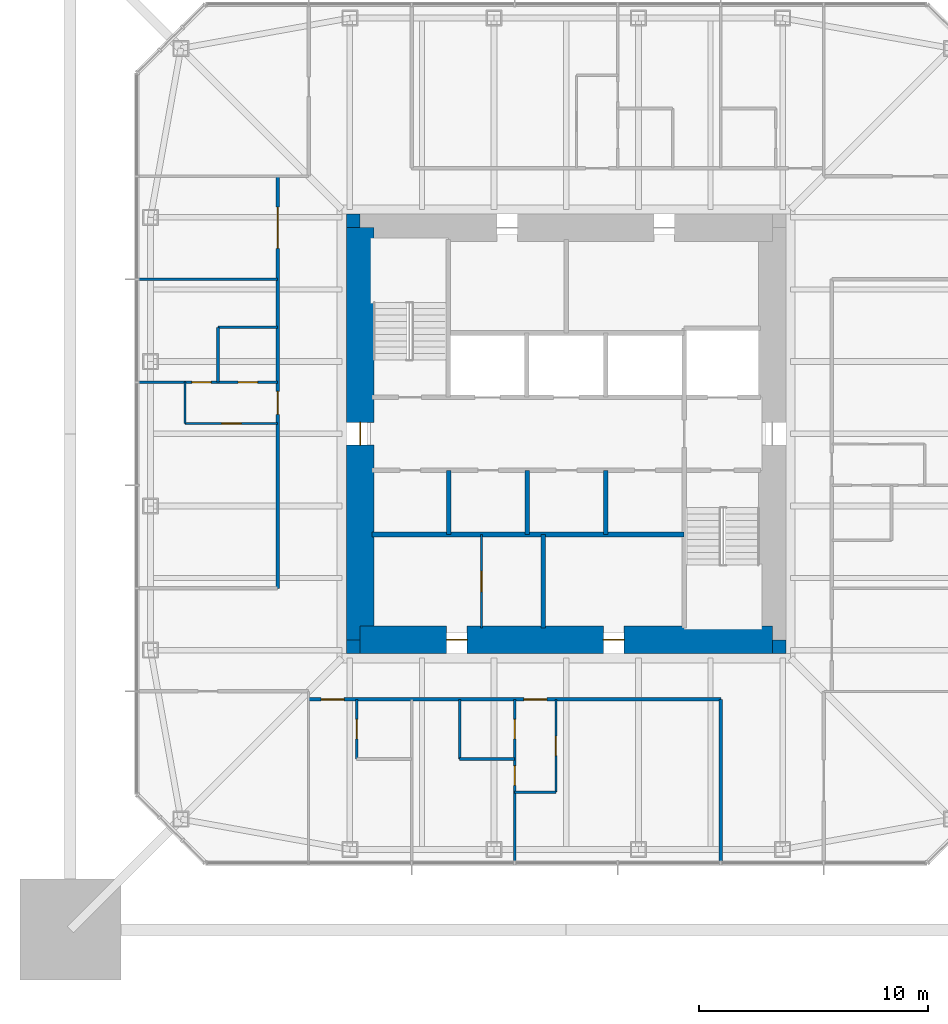
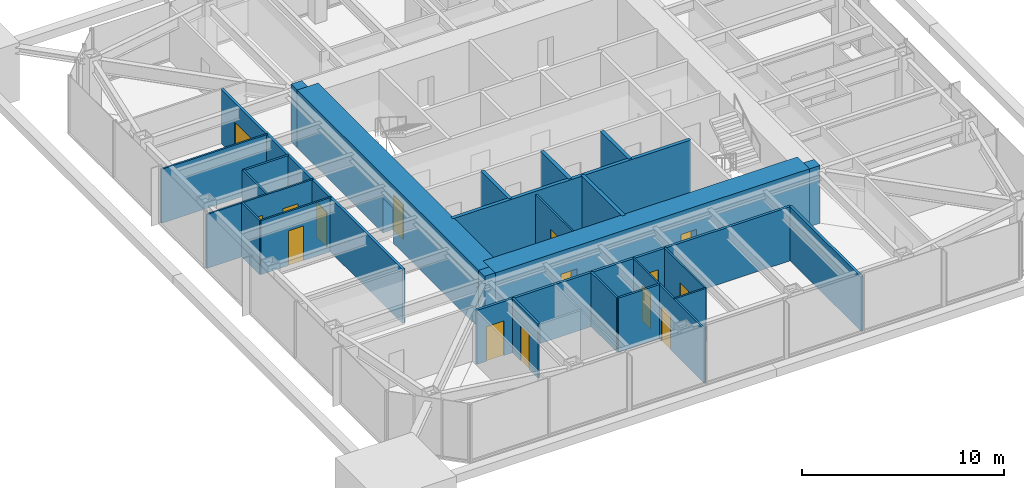
# One storey, part 8 of 13: 26 walls, 15 doors, 15 openings.
"""IFC4 building model written with IfcOpenShell, lengths in metres."""

from ifc_helpers import new_model, si_unit, direction, frame, frame_2d, origin, place, context, subcontext, project, spatial, rectangle, extrude, material, layer, layer_set, type_object, element, fill, save


model = new_model("IFC4")

# Units and contexts
model_context = context("Model", 3, precision=1e-05, world=origin(), true_north=direction((0.0, 1.0)))
body_context = subcontext(model_context, "Body", "Model", "MODEL_VIEW")
ifc_project = project(units=[si_unit("LENGTHUNIT", "METRE"), si_unit("AREAUNIT", "SQUARE_METRE"), si_unit("VOLUMEUNIT", "CUBIC_METRE"), si_unit("PLANEANGLEUNIT", "RADIAN"), si_unit("MASSUNIT", "GRAM", prefix="KILO")], contexts=[model_context])

# Site, building, storey
site_placement = place(None, origin())
site = spatial("IfcSite", under=ifc_project, at=site_placement, CompositionType="ELEMENT")
building_placement = place(site_placement, origin())
building = spatial("IfcBuilding", under=site, at=building_placement, Name="Iwan Alto Co-Living Towers", CompositionType="ELEMENT")
storey_placement = place(building_placement, frame((0.0, 0.0, 191.5)))
storey = spatial("IfcBuildingStorey", under=building, at=storey_placement, Name="L52", CompositionType="ELEMENT", Elevation=191.5)

# Wall, openings, doors
ifc_material_1 = material(Name="Gypsum board")
ifc_layer_1 = layer(ifc_material_1, 0.02490234375, Name="Board", Category="Finish")
ifc_material_2 = material(Name="Steel ASTM A1003 ST33H cold-formed studs", Category="steel")
ifc_layer_2 = layer(ifc_material_2, 0.10009765625, Name="Studs", Category="Framing")
ifc_layer_3 = layer(ifc_material_1, 0.02490234375, Name="Board", Category="Finish")
ifc_layer_set_1 = layer_set([ifc_layer_1, ifc_layer_2, ifc_layer_3], Name="CORRIDOR WALL 150")
wall_type_1 = type_object("IfcWallType", Name="CORRIDOR WALL 150", PredefinedType="PARTITIONING", material=ifc_layer_set_1)
wall_1_placement = place(storey_placement, frame((-11.25, -11.60009765625, 0.0), z_axis=(0.0, 0.0, 1.0), x_axis=(1.0, 0.0, 0.0)))
wall_1 = element("IfcWall", 1, at=wall_1_placement, inside=storey, type_object=wall_type_1, Name="Partition L52", PredefinedType="PARTITIONING", context=body_context, shape_type="SweptSolid", body=[
    extrude(rectangle(XDim=18.0, YDim=0.14990234375, at=frame_2d((9.0, 0.0))), origin(), (0.0, 0.0, 1.0), 3.27001953125),
])
opening_1_placement = place(wall_1_placement, frame((0.550048828125, 0.0, 0.0)))
opening_1 = element("IfcOpeningElement", 2, at=opening_1_placement, cuts=wall_1, Name="Opening D3", PredefinedType="OPENING", context=body_context, shape_type="SweptSolid", body=[
    extrude(rectangle(XDim=1.0, YDim=2.10009765625, at=frame_2d((0.5, 1.050048828125))), frame((0.0, 0.0849609375, 0.0), z_axis=(0.0, -1.0, 0.0), x_axis=(1.0, 0.0, 0.0)), (0.0, 0.0, 1.0), 0.169921875),
])
opening_2_placement = place(wall_1_placement, frame((9.39990234375, 0.0, 0.0)))
opening_2 = element("IfcOpeningElement", 3, at=opening_2_placement, cuts=wall_1, Name="Opening D3", PredefinedType="OPENING", context=body_context, shape_type="SweptSolid", body=[
    extrude(rectangle(XDim=1.0, YDim=2.10009765625, at=frame_2d((0.5, 1.050048828125))), frame((0.0, 0.0849609375, 0.0), z_axis=(0.0, -1.0, 0.0), x_axis=(1.0, 0.0, 0.0)), (0.0, 0.0, 1.0), 0.169921875),
])
ifc_material_3 = material(Name="Steel frame with timber leaf", Category="steel")
door_type_1 = type_object("IfcDoorType", Name="FLAT ENTRANCE DOOR FD30S 1000X2100", OperationType="SINGLE_SWING_LEFT", PredefinedType="DOOR", material=ifc_material_3)
door_1_placement = place(opening_1_placement, frame((1.0, 0.0, 0.0), z_axis=(0.0, 0.0, 1.0), x_axis=(-1.0, 0.0, 0.0)))
door_1 = element("IfcDoor", 4, at=door_1_placement, inside=storey, type_object=door_type_1, Name="Studio door L52", OperationType="SINGLE_SWING_RIGHT", OverallHeight=2.10009765625, OverallWidth=1.0, PredefinedType="DOOR", context=body_context, shape_type="SweptSolid", body=[
    extrude(rectangle(XDim=1.0, YDim=2.10009765625, at=frame_2d((0.5, 1.050048828125))), frame((0.0, 0.02490234375, 0.0), z_axis=(0.0, -1.0, 0.0), x_axis=(1.0, 0.0, 0.0)), (0.0, 0.0, 1.0), 0.050048828125),
])
fill(opening_1, door_1)
door_2_placement = place(opening_2_placement, frame((1.0, 0.0, 0.0), z_axis=(0.0, 0.0, 1.0), x_axis=(-1.0, 0.0, 0.0)))
door_2 = element("IfcDoor", 5, at=door_2_placement, inside=storey, type_object=door_type_1, Name="Apartment foyer door L52", OperationType="SINGLE_SWING_RIGHT", OverallHeight=2.10009765625, OverallWidth=1.0, PredefinedType="DOOR", context=body_context, shape_type="SweptSolid", body=[
    extrude(rectangle(XDim=1.0, YDim=2.10009765625, at=frame_2d((0.5, 1.050048828125))), frame((0.0, 0.02490234375, 0.0), z_axis=(0.0, -1.0, 0.0), x_axis=(1.0, 0.0, 0.0)), (0.0, 0.0, 1.0), 0.050048828125),
])
fill(opening_2, door_2)

# Wall
wall_2_placement = place(storey_placement, frame((6.75, -18.68994140625, 0.0), z_axis=(0.0, 0.0, 1.0), x_axis=(0.0, 1.0, 0.0)))
element("IfcWall", 6, at=wall_2_placement, inside=storey, type_object=wall_type_1, Name="Partition L52", PredefinedType="PARTITIONING", context=body_context, shape_type="SweptSolid", body=[
    extrude(rectangle(XDim=7.08984375, YDim=0.14990234375, at=frame_2d((3.544921875, 0.0))), origin(), (0.0, 0.0, 1.0), 3.27001953125),
])

# Wall, openings, doors
wall_3_placement = place(storey_placement, frame((-12.60009765625, -6.75, 0.0), z_axis=(0.0, 0.0, 1.0), x_axis=(0.0, 1.0, 0.0)))
wall_3 = element("IfcWall", 7, at=wall_3_placement, inside=storey, type_object=wall_type_1, Name="Partition L52", PredefinedType="PARTITIONING", context=body_context, shape_type="SweptSolid", body=[
    extrude(rectangle(XDim=18.0, YDim=0.14990234375, at=frame_2d((9.0, 0.0))), origin(), (0.0, 0.0, 1.0), 3.27001953125),
])
opening_3_placement = place(wall_3_placement, frame((14.85009765625, 0.0, 0.0)))
opening_3 = element("IfcOpeningElement", 8, at=opening_3_placement, cuts=wall_3, Name="Opening D9", PredefinedType="OPENING", context=body_context, shape_type="SweptSolid", body=[
    extrude(rectangle(XDim=1.800048828125, YDim=2.10009765625, at=frame_2d((0.89990234375, 1.050048828125))), frame((0.0, 0.0849609375, 0.0), z_axis=(0.0, -1.0, 0.0), x_axis=(1.0, 0.0, 0.0)), (0.0, 0.0, 1.0), 0.169921875),
])
opening_4_placement = place(wall_3_placement, frame((7.60009765625, 0.0, 0.0)))
opening_4 = element("IfcOpeningElement", 9, at=opening_4_placement, cuts=wall_3, Name="Opening D3", PredefinedType="OPENING", context=body_context, shape_type="SweptSolid", body=[
    extrude(rectangle(XDim=1.0, YDim=2.10009765625, at=frame_2d((0.5, 1.050048828125))), frame((0.0, 0.0849609375, 0.0), z_axis=(0.0, -1.0, 0.0), x_axis=(1.0, 0.0, 0.0)), (0.0, 0.0, 1.0), 0.169921875),
])
door_3_placement = place(opening_4_placement, origin())
door_3 = element("IfcDoor", 10, at=door_3_placement, inside=storey, type_object=door_type_1, Name="Apartment foyer door L52", OperationType="SINGLE_SWING_LEFT", OverallHeight=2.10009765625, OverallWidth=1.0, PredefinedType="DOOR", context=body_context, shape_type="SweptSolid", body=[
    extrude(rectangle(XDim=1.0, YDim=2.10009765625, at=frame_2d((0.5, 1.050048828125))), frame((0.0, 0.02490234375, 0.0), z_axis=(0.0, -1.0, 0.0), x_axis=(1.0, 0.0, 0.0)), (0.0, 0.0, 1.0), 0.050048828125),
])
fill(opening_4, door_3)
ifc_material_4 = material(Name="Steel frame with timber leaf", Category="steel")
door_type_2 = type_object("IfcDoorType", Name="LOUNGE DOOR FD30S 1800X2100", OperationType="DOUBLE_DOOR_SINGLE_SWING", PredefinedType="DOOR", material=ifc_material_4)
door_4_placement = place(opening_3_placement, origin())
door_4 = element("IfcDoor", 11, at=door_4_placement, inside=storey, type_object=door_type_2, Name="Music practice room door L52", OperationType="DOUBLE_DOOR_SINGLE_SWING", OverallHeight=2.10009765625, OverallWidth=1.800048828125, PredefinedType="DOOR", context=body_context, shape_type="SweptSolid", body=[
    extrude(rectangle(XDim=1.800048828125, YDim=2.10009765625, at=frame_2d((0.89990234375, 1.050048828125))), frame((0.0, 0.02490234375, 0.0), z_axis=(0.0, -1.0, 0.0), x_axis=(1.0, 0.0, 0.0)), (0.0, 0.0, 1.0), 0.050048828125),
])
fill(opening_3, door_4)

# Wall
ifc_layer_4 = layer(ifc_material_1, 0.012451171875, Name="Board", Category="Finish")
ifc_layer_5 = layer(ifc_material_2, 0.074951171875, Name="Studs", Category="Framing")
ifc_layer_6 = layer(ifc_material_1, 0.012451171875, Name="Board", Category="Finish")
ifc_layer_set_2 = layer_set([ifc_layer_4, ifc_layer_5, ifc_layer_6], Name="PARTITION 100")
wall_type_2 = type_object("IfcWallType", Name="PARTITION 100", PredefinedType="PARTITIONING", material=ifc_layer_set_2)
wall_4_placement = place(storey_placement, frame((-2.25, -15.64990234375, 0.0), z_axis=(0.0, 0.0, 1.0), x_axis=(1.0, 0.0, 0.0)))
element("IfcWall", 12, at=wall_4_placement, inside=storey, type_object=wall_type_2, Name="Partition L52", PredefinedType="PARTITIONING", context=body_context, shape_type="SweptSolid", body=[
    extrude(rectangle(XDim=1.800048828125, YDim=0.10009765625, at=frame_2d((0.89990234375, 0.0))), origin(), (0.0, 0.0, 1.0), 3.27001953125),
])

# Wall, opening, door
wall_5_placement = place(storey_placement, frame((-16.64990234375, 0.449951171875, 0.0), z_axis=(0.0, 0.0, 1.0), x_axis=(1.0, 0.0, 0.0)))
wall_5 = element("IfcWall", 13, at=wall_5_placement, inside=storey, type_object=wall_type_2, Name="Partition L52", PredefinedType="PARTITIONING", context=body_context, shape_type="SweptSolid", body=[
    extrude(rectangle(XDim=4.0498046875, YDim=0.10009765625, at=frame_2d((2.02490234375, 0.0))), origin(), (0.0, 0.0, 1.0), 3.27001953125),
])
opening_5_placement = place(wall_5_placement, frame((1.60009765625, 0.0, 0.0)))
opening_5 = element("IfcOpeningElement", 14, at=opening_5_placement, cuts=wall_5, Name="Opening D2", PredefinedType="OPENING", context=body_context, shape_type="SweptSolid", body=[
    extrude(rectangle(XDim=0.85009765625, YDim=2.10009765625, at=frame_2d((0.425048828125, 1.050048828125))), frame((0.0, 0.06005859375, 0.0), z_axis=(0.0, -1.0, 0.0), x_axis=(1.0, 0.0, 0.0)), (0.0, 0.0, 1.0), 0.1201171875),
])
ifc_material_5 = material(Name="Timber leaf in steel frame", Category="steel")
door_type_3 = type_object("IfcDoorType", Name="ROOM DOOR 850X2100", OperationType="SINGLE_SWING_LEFT", PredefinedType="DOOR", material=ifc_material_5)
door_5_placement = place(opening_5_placement, frame((0.85009765625, 0.0, 0.0), z_axis=(0.0, 0.0, 1.0), x_axis=(-1.0, 0.0, 0.0)))
door_5 = element("IfcDoor", 15, at=door_5_placement, inside=storey, type_object=door_type_3, Name="Apartment foyer door L52", OperationType="SINGLE_SWING_LEFT", OverallHeight=2.10009765625, OverallWidth=0.85009765625, PredefinedType="DOOR", context=body_context, shape_type="SweptSolid", body=[
    extrude(rectangle(XDim=0.85009765625, YDim=2.10009765625, at=frame_2d((0.425048828125, 1.050048828125))), frame((0.0, 0.02490234375, 0.0), z_axis=(0.0, -1.0, 0.0), x_axis=(1.0, 0.0, 0.0)), (0.0, 0.0, 1.0), 0.050048828125),
])
fill(opening_5, door_5)

# Wall, openings, doors
wall_6_placement = place(storey_placement, frame((-18.68994140625, 2.25, 0.0), z_axis=(0.0, 0.0, 1.0), x_axis=(1.0, 0.0, 0.0)))
wall_6 = element("IfcWall", 16, at=wall_6_placement, inside=storey, type_object=wall_type_2, Name="Partition L52", PredefinedType="PARTITIONING", context=body_context, shape_type="SweptSolid", body=[
    extrude(rectangle(XDim=6.08984375, YDim=0.10009765625, at=frame_2d((3.044921875, 0.0))), origin(), (0.0, 0.0, 1.0), 3.27001953125),
])
opening_6_placement = place(wall_6_placement, frame((2.340087890625, 0.0, 0.0)))
opening_6 = element("IfcOpeningElement", 17, at=opening_6_placement, cuts=wall_6, Name="Opening D2", PredefinedType="OPENING", context=body_context, shape_type="SweptSolid", body=[
    extrude(rectangle(XDim=0.85009765625, YDim=2.10009765625, at=frame_2d((0.425048828125, 1.050048828125))), frame((0.0, 0.06005859375, 0.0), z_axis=(0.0, -1.0, 0.0), x_axis=(1.0, 0.0, 0.0)), (0.0, 0.0, 1.0), 0.1201171875),
])
opening_7_placement = place(wall_6_placement, frame((4.364990234375, 0.0, 0.0)))
opening_7 = element("IfcOpeningElement", 18, at=opening_7_placement, cuts=wall_6, Name="Opening D2", PredefinedType="OPENING", context=body_context, shape_type="SweptSolid", body=[
    extrude(rectangle(XDim=0.85009765625, YDim=2.10009765625, at=frame_2d((0.425048828125, 1.050048828125))), frame((0.0, 0.06005859375, 0.0), z_axis=(0.0, -1.0, 0.0), x_axis=(1.0, 0.0, 0.0)), (0.0, 0.0, 1.0), 0.1201171875),
])
door_6_placement = place(opening_6_placement, origin())
door_6 = element("IfcDoor", 19, at=door_6_placement, inside=storey, type_object=door_type_3, Name="Bedroom door L52", OperationType="SINGLE_SWING_RIGHT", OverallHeight=2.10009765625, OverallWidth=0.85009765625, PredefinedType="DOOR", context=body_context, shape_type="SweptSolid", body=[
    extrude(rectangle(XDim=0.85009765625, YDim=2.10009765625, at=frame_2d((0.425048828125, 1.050048828125))), frame((0.0, 0.02490234375, 0.0), z_axis=(0.0, -1.0, 0.0), x_axis=(1.0, 0.0, 0.0)), (0.0, 0.0, 1.0), 0.050048828125),
])
fill(opening_6, door_6)
door_7_placement = place(opening_7_placement, origin())
door_7 = element("IfcDoor", 20, at=door_7_placement, inside=storey, type_object=door_type_3, Name="Bathroom door L52", OperationType="SINGLE_SWING_LEFT", OverallHeight=2.10009765625, OverallWidth=0.85009765625, PredefinedType="DOOR", context=body_context, shape_type="SweptSolid", body=[
    extrude(rectangle(XDim=0.85009765625, YDim=2.10009765625, at=frame_2d((0.425048828125, 1.050048828125))), frame((0.0, 0.02490234375, 0.0), z_axis=(0.0, -1.0, 0.0), x_axis=(1.0, 0.0, 0.0)), (0.0, 0.0, 1.0), 0.050048828125),
])
fill(opening_7, door_7)

# Wall
wall_7_placement = place(storey_placement, frame((-18.68994140625, 6.75, 0.0), z_axis=(0.0, 0.0, 1.0), x_axis=(1.0, 0.0, 0.0)))
element("IfcWall", 21, at=wall_7_placement, inside=storey, type_object=wall_type_2, Name="Partition L52", PredefinedType="PARTITIONING", context=body_context, shape_type="SweptSolid", body=[
    extrude(rectangle(XDim=6.08984375, YDim=0.10009765625, at=frame_2d((3.044921875, 0.0))), origin(), (0.0, 0.0, 1.0), 3.27001953125),
])

# Wall, opening, door
wall_8_placement = place(storey_placement, frame((-0.449951171875, -15.64990234375, 0.0), z_axis=(0.0, 0.0, 1.0), x_axis=(0.0, 1.0, 0.0)))
wall_8 = element("IfcWall", 22, at=wall_8_placement, inside=storey, type_object=wall_type_2, Name="Partition L52", PredefinedType="PARTITIONING", context=body_context, shape_type="SweptSolid", body=[
    extrude(rectangle(XDim=4.0498046875, YDim=0.10009765625, at=frame_2d((2.02490234375, 0.0))), origin(), (0.0, 0.0, 1.0), 3.27001953125),
])
opening_8_placement = place(wall_8_placement, frame((1.60009765625, 0.0, 0.0)))
opening_8 = element("IfcOpeningElement", 23, at=opening_8_placement, cuts=wall_8, Name="Opening D2", PredefinedType="OPENING", context=body_context, shape_type="SweptSolid", body=[
    extrude(rectangle(XDim=0.85009765625, YDim=2.10009765625, at=frame_2d((0.425048828125, 1.050048828125))), frame((0.0, 0.06005859375, 0.0), z_axis=(0.0, -1.0, 0.0), x_axis=(1.0, 0.0, 0.0)), (0.0, 0.0, 1.0), 0.1201171875),
])
door_8_placement = place(opening_8_placement, frame((0.85009765625, 0.0, 0.0), z_axis=(0.0, 0.0, 1.0), x_axis=(-1.0, 0.0, 0.0)))
door_8 = element("IfcDoor", 24, at=door_8_placement, inside=storey, type_object=door_type_3, Name="Apartment foyer door L52", OperationType="SINGLE_SWING_LEFT", OverallHeight=2.10009765625, OverallWidth=0.85009765625, PredefinedType="DOOR", context=body_context, shape_type="SweptSolid", body=[
    extrude(rectangle(XDim=0.85009765625, YDim=2.10009765625, at=frame_2d((0.425048828125, 1.050048828125))), frame((0.0, 0.02490234375, 0.0), z_axis=(0.0, -1.0, 0.0), x_axis=(1.0, 0.0, 0.0)), (0.0, 0.0, 1.0), 0.050048828125),
])
fill(opening_8, door_8)

# Wall, openings, doors
wall_9_placement = place(storey_placement, frame((-2.25, -18.68994140625, 0.0), z_axis=(0.0, 0.0, 1.0), x_axis=(0.0, 1.0, 0.0)))
wall_9 = element("IfcWall", 25, at=wall_9_placement, inside=storey, type_object=wall_type_2, Name="Partition L52", PredefinedType="PARTITIONING", context=body_context, shape_type="SweptSolid", body=[
    extrude(rectangle(XDim=7.08984375, YDim=0.10009765625, at=frame_2d((3.544921875, 0.0))), origin(), (0.0, 0.0, 1.0), 3.27001953125),
])
opening_9_placement = place(wall_9_placement, frame((3.340087890625, 0.0, 0.0)))
opening_9 = element("IfcOpeningElement", 26, at=opening_9_placement, cuts=wall_9, Name="Opening D2", PredefinedType="OPENING", context=body_context, shape_type="SweptSolid", body=[
    extrude(rectangle(XDim=0.85009765625, YDim=2.10009765625, at=frame_2d((0.425048828125, 1.050048828125))), frame((0.0, 0.06005859375, 0.0), z_axis=(0.0, -1.0, 0.0), x_axis=(1.0, 0.0, 0.0)), (0.0, 0.0, 1.0), 0.1201171875),
])
opening_10_placement = place(wall_9_placement, frame((5.364990234375, 0.0, 0.0)))
opening_10 = element("IfcOpeningElement", 27, at=opening_10_placement, cuts=wall_9, Name="Opening D2", PredefinedType="OPENING", context=body_context, shape_type="SweptSolid", body=[
    extrude(rectangle(XDim=0.85009765625, YDim=2.10009765625, at=frame_2d((0.425048828125, 1.050048828125))), frame((0.0, 0.06005859375, 0.0), z_axis=(0.0, -1.0, 0.0), x_axis=(1.0, 0.0, 0.0)), (0.0, 0.0, 1.0), 0.1201171875),
])
door_9_placement = place(opening_9_placement, origin())
door_9 = element("IfcDoor", 28, at=door_9_placement, inside=storey, type_object=door_type_3, Name="Bedroom door L52", OperationType="SINGLE_SWING_RIGHT", OverallHeight=2.10009765625, OverallWidth=0.85009765625, PredefinedType="DOOR", context=body_context, shape_type="SweptSolid", body=[
    extrude(rectangle(XDim=0.85009765625, YDim=2.10009765625, at=frame_2d((0.425048828125, 1.050048828125))), frame((0.0, 0.02490234375, 0.0), z_axis=(0.0, -1.0, 0.0), x_axis=(1.0, 0.0, 0.0)), (0.0, 0.0, 1.0), 0.050048828125),
])
fill(opening_9, door_9)
door_10_placement = place(opening_10_placement, origin())
door_10 = element("IfcDoor", 29, at=door_10_placement, inside=storey, type_object=door_type_3, Name="Bathroom door L52", OperationType="SINGLE_SWING_LEFT", OverallHeight=2.10009765625, OverallWidth=0.85009765625, PredefinedType="DOOR", context=body_context, shape_type="SweptSolid", body=[
    extrude(rectangle(XDim=0.85009765625, YDim=2.10009765625, at=frame_2d((0.425048828125, 1.050048828125))), frame((0.0, 0.02490234375, 0.0), z_axis=(0.0, -1.0, 0.0), x_axis=(1.0, 0.0, 0.0)), (0.0, 0.0, 1.0), 0.050048828125),
])
fill(opening_10, door_10)

# Wall, opening, door
wall_10_placement = place(storey_placement, frame((-3.699951171875, -8.489990234375, 0.0), z_axis=(0.0, 0.0, 1.0), x_axis=(0.0, 1.0, 0.0)))
wall_10 = element("IfcWall", 30, at=wall_10_placement, inside=storey, type_object=wall_type_2, Name="Partition L52", PredefinedType="PARTITIONING", context=body_context, shape_type="SweptSolid", body=[
    extrude(rectangle(XDim=4.090087890625, YDim=0.10009765625, at=frame_2d((2.044921875, 0.0))), origin(), (0.0, 0.0, 1.0), 3.300048828125),
])
opening_11_placement = place(wall_10_placement, frame((1.594970703125, 0.0, 0.0)))
opening_11 = element("IfcOpeningElement", 31, at=opening_11_placement, cuts=wall_10, Name="Opening D16", PredefinedType="OPENING", context=body_context, shape_type="SweptSolid", body=[
    extrude(rectangle(XDim=0.89990234375, YDim=2.10009765625, at=frame_2d((0.449951171875, 1.050048828125))), frame((0.0, 0.06005859375, 0.0), z_axis=(0.0, -1.0, 0.0), x_axis=(1.0, 0.0, 0.0)), (0.0, 0.0, 1.0), 0.1201171875),
])
ifc_material_6 = material(Name="Timber leaf in steel frame", Category="steel")
door_type_4 = type_object("IfcDoorType", Name="CUPBOARD SLIDING DOOR 900X2100", OperationType="SLIDING_TO_LEFT", PredefinedType="DOOR", material=ifc_material_6)
door_11_placement = place(opening_11_placement, origin())
door_11 = element("IfcDoor", 32, at=door_11_placement, inside=storey, type_object=door_type_4, Name="Cleaner's store door L52", OperationType="SLIDING_TO_LEFT", OverallHeight=2.10009765625, OverallWidth=0.89990234375, PredefinedType="DOOR", context=body_context, shape_type="SweptSolid", body=[
    extrude(rectangle(XDim=0.89990234375, YDim=2.10009765625, at=frame_2d((0.449951171875, 1.050048828125))), frame((0.0, 0.02490234375, 0.0), z_axis=(0.0, -1.0, 0.0), x_axis=(1.0, 0.0, 0.0)), (0.0, 0.0, 1.0), 0.050048828125),
])
fill(opening_11, door_11)

# Walls
wall_11_placement = place(storey_placement, frame((-16.64990234375, 0.449951171875, 0.0), z_axis=(0.0, 0.0, 1.0), x_axis=(0.0, 1.0, 0.0)))
element("IfcWall", 33, at=wall_11_placement, inside=storey, type_object=wall_type_2, Name="Partition L52", PredefinedType="PARTITIONING", context=body_context, shape_type="SweptSolid", body=[
    extrude(rectangle(XDim=1.800048828125, YDim=0.10009765625, at=frame_2d((0.89990234375, 0.0))), origin(), (0.0, 0.0, 1.0), 3.27001953125),
])
ifc_material_7 = material(Name="Concrete f'c 70 MPa", Category="concrete")
ifc_layer_7 = layer(ifc_material_7, 0.199951171875)
ifc_layer_set_3 = layer_set([ifc_layer_7], Name="SHAFT WALL 200")
wall_type_3 = type_object("IfcWallType", Name="SHAFT WALL 200", PredefinedType="SOLIDWALL", material=ifc_layer_set_3)
wall_12_placement = place(storey_placement, frame((-8.489990234375, -4.39990234375, 0.0), z_axis=(0.0, 0.0, 1.0), x_axis=(1.0, 0.0, 0.0)))
element("IfcWall", 34, at=wall_12_placement, inside=storey, type_object=wall_type_3, Name="Shaft wall L52", PredefinedType="SOLIDWALL", context=body_context, shape_type="SweptSolid", body=[
    extrude(rectangle(XDim=13.639892578125, YDim=0.199951171875, at=frame_2d((6.81982421875, 0.0))), origin(), (0.0, 0.0, 1.0), 3.5),
])
wall_13_placement = place(storey_placement, frame((1.72509765625, -4.39990234375, 0.0), z_axis=(0.0, 0.0, 1.0), x_axis=(0.0, 1.0, 0.0)))
element("IfcWall", 35, at=wall_13_placement, inside=storey, type_object=wall_type_3, Name="Shaft wall L52", PredefinedType="SOLIDWALL", context=body_context, shape_type="SweptSolid", body=[
    extrude(rectangle(XDim=2.7998046875, YDim=0.199951171875, at=frame_2d((1.39990234375, 0.0))), origin(), (0.0, 0.0, 1.0), 3.5),
])
wall_14_placement = place(storey_placement, frame((-1.0, -8.489990234375, 0.0), z_axis=(0.0, 0.0, 1.0), x_axis=(0.0, 1.0, 0.0)))
element("IfcWall", 36, at=wall_14_placement, inside=storey, type_object=wall_type_3, Name="Shaft wall L52", PredefinedType="SOLIDWALL", context=body_context, shape_type="SweptSolid", body=[
    extrude(rectangle(XDim=4.090087890625, YDim=0.199951171875, at=frame_2d((2.044921875, 0.0))), origin(), (0.0, 0.0, 1.0), 3.5),
])
for number, where, z_axis, x_axis, name in (
    (37, (-1.699951171875, -4.39990234375, 0.0), (0.0, 0.0, 1.0), (0.0, 1.0, 0.0), "Shaft wall L52"),
    (38, (-5.125, -4.39990234375, 0.0), (0.0, 0.0, 1.0), (0.0, 1.0, 0.0), "Shaft wall L52"),
):
    element("IfcWall", number, at=place(storey_placement, frame(where, z_axis=z_axis, x_axis=x_axis)), inside=storey, type_object=wall_type_3, Name=name, PredefinedType="SOLIDWALL", context=body_context, shape_type="SweptSolid", body=[
        extrude(rectangle(XDim=2.7998046875, YDim=0.199951171875, at=frame_2d((1.39990234375, 0.0))), origin(), (0.0, 0.0, 1.0), 3.5),
    ])
ifc_material_8 = material(Name="Concrete f'c 70 MPa", Category="concrete")
ifc_layer_8 = layer(ifc_material_8, 0.60009765625)
ifc_layer_set_4 = layer_set([ifc_layer_8], Name="T1 CORE CORNER FILL 600")
wall_type_4 = type_object("IfcWallType", Name="T1 CORE CORNER FILL 600", PredefinedType="SOLIDWALL", material=ifc_layer_set_4)
for number, where, z_axis, x_axis, name in (
    (39, (-9.60009765625, -9.300048828125, 0.0), (0.0, 0.0, 1.0), (1.0, 0.0, 0.0), "T1 core corner SW L52"),
    (40, (9.0, -9.300048828125, 0.0), (0.0, 0.0, 1.0), (1.0, 0.0, 0.0), "T1 core corner SE L52"),
    (41, (-9.60009765625, 9.300048828125, 0.0), (0.0, 0.0, 1.0), (1.0, 0.0, 0.0), "T1 core corner NW L52"),
):
    element("IfcWall", number, at=place(storey_placement, frame(where, z_axis=z_axis, x_axis=x_axis)), inside=storey, type_object=wall_type_4, Name=name, PredefinedType="SOLIDWALL", context=body_context, shape_type="SweptSolid", body=[
        extrude(rectangle(XDim=0.60009765625, YDim=0.60009765625, at=frame_2d((0.300048828125, 0.0))), origin(), (0.0, 0.0, 1.0), 3.5),
    ])

# Wall, openings, doors
ifc_material_9 = material(Name="Concrete f'c 70 MPa", Category="concrete")
ifc_layer_9 = layer(ifc_material_9, 1.199951171875)
ifc_layer_set_5 = layer_set([ifc_layer_9], Name="T1 CORE WALL 1200")
wall_type_5 = type_object("IfcWallType", Name="T1 CORE WALL 1200", PredefinedType="SHEAR", material=ifc_layer_set_5)
wall_15_placement = place(storey_placement, frame((-9.0, -9.0, 0.0), z_axis=(0.0, 0.0, 1.0), x_axis=(1.0, 0.0, 0.0)))
wall_15 = element("IfcWall", 42, at=wall_15_placement, inside=storey, type_object=wall_type_5, Name="T1 core wall S L52", PredefinedType="SHEAR", context=body_context, shape_type="SweptSolid", body=[
    extrude(rectangle(XDim=18.0, YDim=1.199951171875, at=frame_2d((9.0, 0.0))), origin(), (0.0, 0.0, 1.0), 3.5),
])
opening_12_placement = place(wall_15_placement, frame((3.77490234375, 0.0, 0.0)))
opening_12 = element("IfcOpeningElement", 43, at=opening_12_placement, cuts=wall_15, Name="Opening D8", PredefinedType="OPENING", context=body_context, shape_type="SweptSolid", body=[
    extrude(rectangle(XDim=0.89990234375, YDim=2.10009765625, at=frame_2d((0.449951171875, 1.050048828125))), frame((0.0, 0.60986328125, 0.0), z_axis=(0.0, -1.0, 0.0), x_axis=(1.0, 0.0, 0.0)), (0.0, 0.0, 1.0), 1.219970703125),
])
opening_13_placement = place(wall_15_placement, frame((10.625, 0.0, 0.0)))
opening_13 = element("IfcOpeningElement", 44, at=opening_13_placement, cuts=wall_15, Name="Opening D8", PredefinedType="OPENING", context=body_context, shape_type="SweptSolid", body=[
    extrude(rectangle(XDim=0.89990234375, YDim=2.10009765625, at=frame_2d((0.449951171875, 1.050048828125))), frame((0.0, 0.60986328125, 0.0), z_axis=(0.0, -1.0, 0.0), x_axis=(1.0, 0.0, 0.0)), (0.0, 0.0, 1.0), 1.219970703125),
])
ifc_material_10 = material(Name="Steel frame with timber leaf", Category="steel")
door_type_5 = type_object("IfcDoorType", Name="RISER DOOR FD120 900X2100", OperationType="SINGLE_SWING_LEFT", PredefinedType="DOOR", material=ifc_material_10)
door_12_placement = place(opening_12_placement, origin())
door_12 = element("IfcDoor", 45, at=door_12_placement, inside=storey, type_object=door_type_5, Name="Refuse room core door L52", OperationType="SINGLE_SWING_RIGHT", OverallHeight=2.10009765625, OverallWidth=0.89990234375, PredefinedType="DOOR", context=body_context, shape_type="SweptSolid", body=[
    extrude(rectangle(XDim=0.89990234375, YDim=2.10009765625, at=frame_2d((0.449951171875, 1.050048828125))), frame((0.0, 0.02490234375, 0.0), z_axis=(0.0, -1.0, 0.0), x_axis=(1.0, 0.0, 0.0)), (0.0, 0.0, 1.0), 0.050048828125),
])
fill(opening_12, door_12)
door_13_placement = place(opening_13_placement, origin())
door_13 = element("IfcDoor", 46, at=door_13_placement, inside=storey, type_object=door_type_5, Name="Telecom riser core door L52", OperationType="SINGLE_SWING_LEFT", OverallHeight=2.10009765625, OverallWidth=0.89990234375, PredefinedType="DOOR", context=body_context, shape_type="SweptSolid", body=[
    extrude(rectangle(XDim=0.89990234375, YDim=2.10009765625, at=frame_2d((0.449951171875, 1.050048828125))), frame((0.0, 0.02490234375, 0.0), z_axis=(0.0, -1.0, 0.0), x_axis=(1.0, 0.0, 0.0)), (0.0, 0.0, 1.0), 0.050048828125),
])
fill(opening_13, door_13)

# Wall, opening, door
wall_16_placement = place(storey_placement, frame((-9.0, 9.0, 0.0), z_axis=(0.0, 0.0, 1.0), x_axis=(0.0, -1.0, 0.0)))
wall_16 = element("IfcWall", 47, at=wall_16_placement, inside=storey, type_object=wall_type_5, Name="T1 core wall W L52", PredefinedType="SHEAR", context=body_context, shape_type="SweptSolid", body=[
    extrude(rectangle(XDim=18.0, YDim=1.199951171875, at=frame_2d((9.0, 0.0))), origin(), (0.0, 0.0, 1.0), 3.5),
])
opening_14_placement = place(wall_16_placement, frame((8.5, 0.0, 0.0)))
opening_14 = element("IfcOpeningElement", 48, at=opening_14_placement, cuts=wall_16, Name="Opening D7", PredefinedType="OPENING", context=body_context, shape_type="SweptSolid", body=[
    extrude(rectangle(XDim=1.0, YDim=2.10009765625, at=frame_2d((0.5, 1.050048828125))), frame((0.0, 0.60986328125, 0.0), z_axis=(0.0, -1.0, 0.0), x_axis=(1.0, 0.0, 0.0)), (0.0, 0.0, 1.0), 1.219970703125),
])
ifc_material_11 = material(Name="Steel frame with timber leaf", Category="steel")
door_type_6 = type_object("IfcDoorType", Name="CORE DOOR FD120S 1000X2100", OperationType="SINGLE_SWING_LEFT", PredefinedType="DOOR", material=ifc_material_11)
door_14_placement = place(opening_14_placement, origin())
door_14 = element("IfcDoor", 49, at=door_14_placement, inside=storey, type_object=door_type_6, Name="Lift lobby core door L52", OperationType="SINGLE_SWING_RIGHT", OverallHeight=2.10009765625, OverallWidth=1.0, PredefinedType="DOOR", context=body_context, shape_type="SweptSolid", body=[
    extrude(rectangle(XDim=1.0, YDim=2.10009765625, at=frame_2d((0.5, 1.050048828125))), frame((0.0, 0.02490234375, 0.0), z_axis=(0.0, -1.0, 0.0), x_axis=(1.0, 0.0, 0.0)), (0.0, 0.0, 1.0), 0.050048828125),
])
fill(opening_14, door_14)

# Walls
ifc_material_12 = material(Name="Cement board")
ifc_layer_10 = layer(ifc_material_12, 0.012451171875, Name="Board", Category="Finish")
ifc_layer_11 = layer(ifc_material_2, 0.094970703125, Name="Studs", Category="Framing")
ifc_layer_12 = layer(ifc_material_12, 0.012451171875, Name="Board", Category="Finish")
ifc_layer_set_6 = layer_set([ifc_layer_10, ifc_layer_11, ifc_layer_12], Name="WET AREA PARTITION 120")
wall_type_6 = type_object("IfcWallType", Name="WET AREA PARTITION 120", PredefinedType="PARTITIONING", material=ifc_layer_set_6)
wall_17_placement = place(storey_placement, frame((-4.64990234375, -14.199951171875, 0.0), z_axis=(0.0, 0.0, 1.0), x_axis=(1.0, 0.0, 0.0)))
element("IfcWall", 50, at=wall_17_placement, inside=storey, type_object=wall_type_6, Name="Partition L52", PredefinedType="PARTITIONING", context=body_context, shape_type="SweptSolid", body=[
    extrude(rectangle(XDim=2.39990234375, YDim=0.1201171875, at=frame_2d((1.199951171875, 0.0))), origin(), (0.0, 0.0, 1.0), 3.27001953125),
])
for number, where, z_axis, x_axis, name in (
    (51, (-15.199951171875, 4.64990234375, 0.0), (0.0, 0.0, 1.0), (1.0, 0.0, 0.0), "Partition L52"),
    (52, (-4.64990234375, -14.199951171875, 0.0), (0.0, 0.0, 1.0), (0.0, 1.0, 0.0), "Partition L52"),
):
    element("IfcWall", number, at=place(storey_placement, frame(where, z_axis=z_axis, x_axis=x_axis)), inside=storey, type_object=wall_type_6, Name=name, PredefinedType="PARTITIONING", context=body_context, shape_type="SweptSolid", body=[
        extrude(rectangle(XDim=2.599853515625, YDim=0.1201171875, at=frame_2d((1.2998046875, 0.0))), origin(), (0.0, 0.0, 1.0), 3.27001953125),
    ])

# Wall, opening, door
wall_18_placement = place(storey_placement, frame((-9.14990234375, -14.199951171875, 0.0), z_axis=(0.0, 0.0, 1.0), x_axis=(0.0, 1.0, 0.0)))
wall_18 = element("IfcWall", 53, at=wall_18_placement, inside=storey, type_object=wall_type_6, Name="Partition L52", PredefinedType="PARTITIONING", context=body_context, shape_type="SweptSolid", body=[
    extrude(rectangle(XDim=2.599853515625, YDim=0.1201171875, at=frame_2d((1.2998046875, 0.0))), origin(), (0.0, 0.0, 1.0), 3.27001953125),
])
opening_15_placement = place(wall_18_placement, frame((0.875, 0.0, 0.0)))
opening_15 = element("IfcOpeningElement", 54, at=opening_15_placement, cuts=wall_18, Name="Opening D2", PredefinedType="OPENING", context=body_context, shape_type="SweptSolid", body=[
    extrude(rectangle(XDim=0.85009765625, YDim=2.10009765625, at=frame_2d((0.425048828125, 1.050048828125))), frame((0.0, 0.070068359375, 0.0), z_axis=(0.0, -1.0, 0.0), x_axis=(1.0, 0.0, 0.0)), (0.0, 0.0, 1.0), 0.14013671875),
])
door_15_placement = place(opening_15_placement, origin())
door_15 = element("IfcDoor", 55, at=door_15_placement, inside=storey, type_object=door_type_3, Name="En-suite shower room door L52", OperationType="SINGLE_SWING_RIGHT", OverallHeight=2.10009765625, OverallWidth=0.85009765625, PredefinedType="DOOR", context=body_context, shape_type="SweptSolid", body=[
    extrude(rectangle(XDim=0.85009765625, YDim=2.10009765625, at=frame_2d((0.425048828125, 1.050048828125))), frame((0.0, 0.02490234375, 0.0), z_axis=(0.0, -1.0, 0.0), x_axis=(1.0, 0.0, 0.0)), (0.0, 0.0, 1.0), 0.050048828125),
])
fill(opening_15, door_15)

# Wall
wall_19_placement = place(storey_placement, frame((-15.199951171875, 2.25, 0.0), z_axis=(0.0, 0.0, 1.0), x_axis=(0.0, 1.0, 0.0)))
element("IfcWall", 56, at=wall_19_placement, inside=storey, type_object=wall_type_6, Name="Partition L52", PredefinedType="PARTITIONING", context=body_context, shape_type="SweptSolid", body=[
    extrude(rectangle(XDim=2.39990234375, YDim=0.1201171875, at=frame_2d((1.199951171875, 0.0))), origin(), (0.0, 0.0, 1.0), 3.27001953125),
])

save(model, "model.ifc")
